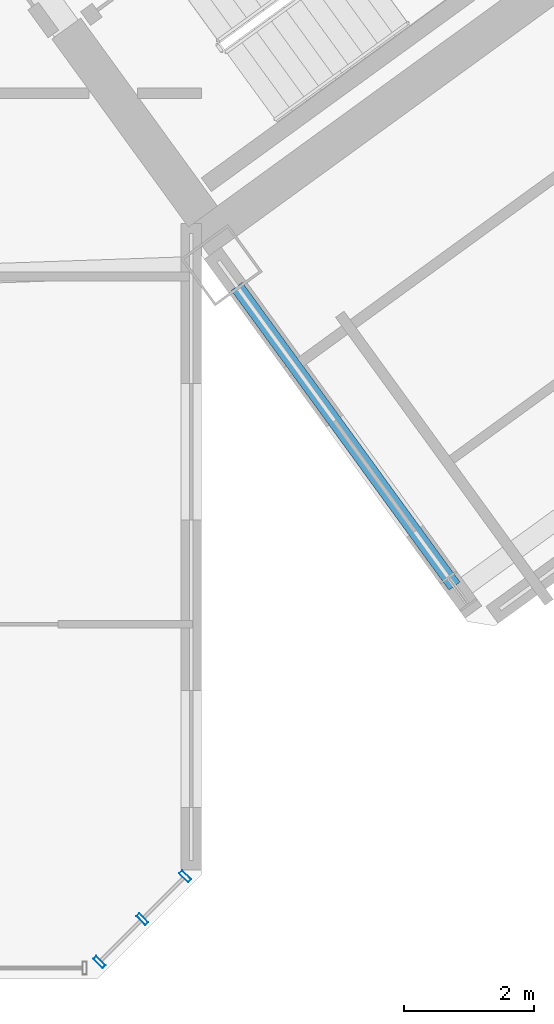
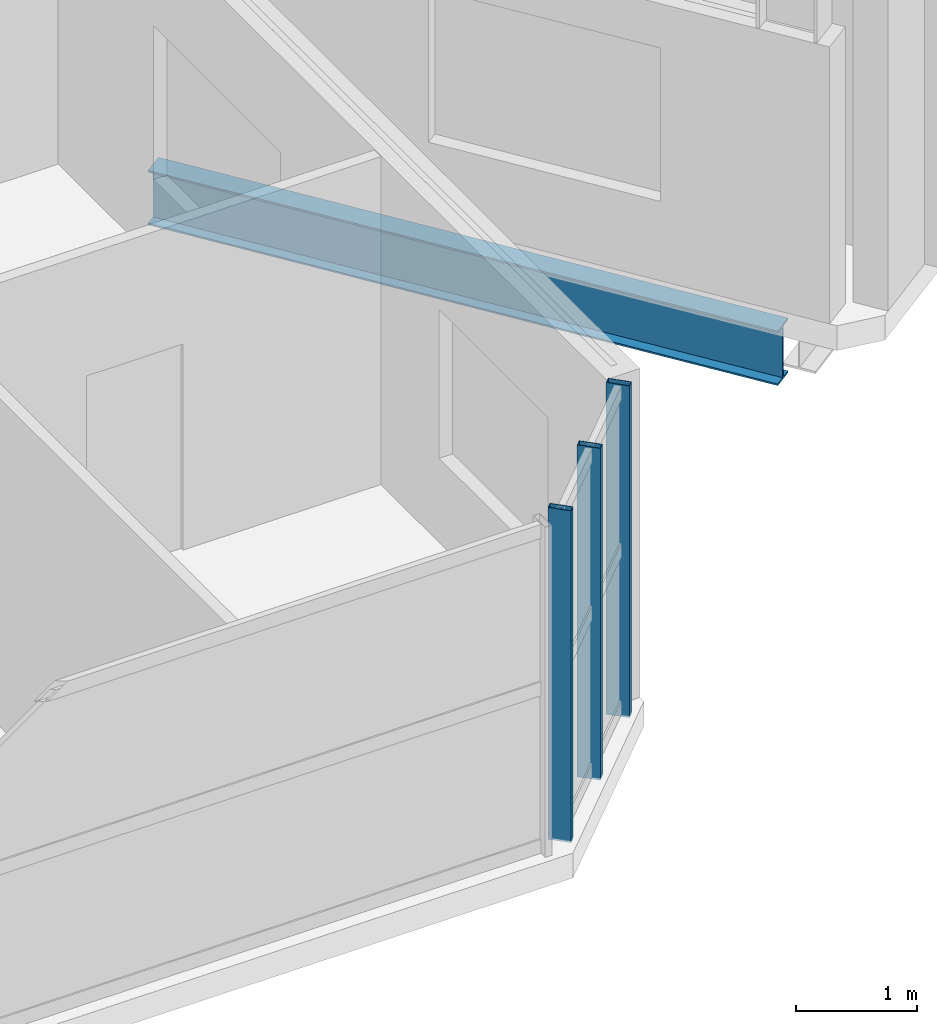
# One storey, part 10 of 29: 3 members, 1 beam, 1 element without a shape of its own.
"""IFC4 building model written with IfcOpenShell, lengths in metres."""

from ifc_helpers import new_model, si_unit, direction, frame, origin, origin_2d, place, context, subcontext, project, spatial, hollow_rectangle, i_section, extrude, source, transform, mapped, material, material_profile, profile_set, type_object, element, aggregate, save


model = new_model("IFC4")

# Units and contexts
model_context = context("Model", 3, precision=1e-05, world=origin(), true_north=direction((0.0, 1.0)))
body_context = subcontext(model_context, "Body", "Model", "MODEL_VIEW")
ifc_project = project(units=[si_unit("LENGTHUNIT", "METRE"), si_unit("AREAUNIT", "SQUARE_METRE"), si_unit("VOLUMEUNIT", "CUBIC_METRE"), si_unit("PLANEANGLEUNIT", "RADIAN"), si_unit("MASSUNIT", "GRAM", prefix="KILO")], contexts=[model_context])

# Site, building, storey
site_placement = place(None, origin())
site = spatial("IfcSite", under=ifc_project, at=site_placement, CompositionType="ELEMENT")
building_placement = place(site_placement, origin())
building = spatial("IfcBuilding", under=site, at=building_placement, Name="Tlacorven Tower", CompositionType="ELEMENT")
storey_placement = place(building_placement, frame((0.0, 0.0, 165.89990234375)))
storey = spatial("IfcBuildingStorey", under=building, at=storey_placement, Name="L42", CompositionType="ELEMENT", Elevation=165.89990234375)

# Beam
ifc_material_1 = material(Name="Steel S355J2", Category="steel")
ifc_material_profile_1 = material_profile(ifc_material_1, i_section(OverallWidth=0.2099609375, OverallDepth=0.550048828125, WebThickness=0.010986328125, FlangeThickness=0.01708984375, at=origin_2d()), Name="IPE 550")
ifc_profile_set_1 = profile_set([ifc_material_profile_1], Name="Steel S355J2")
beam_type = type_object("IfcBeamType", Name="BM-TWR-550", PredefinedType="BEAM", material=ifc_profile_set_1)
shared_shape_1 = source(origin(), body_context, "Body", "SweptSolid", [
    extrude(i_section(OverallWidth=0.2099609375, OverallDepth=0.550048828125, WebThickness=0.010986328125, FlangeThickness=0.01708984375, at=origin_2d()), origin(), (0.0, 0.0, 1.0), 5.699951171875),
])
beam_placement = place(storey_placement, frame((56.291015625, 7.83837890625, -0.52490234375), z_axis=(-0.587815099892, 0.808995307983, 0.0), x_axis=(-0.808995307983, -0.587815099892, 0.0)))
element("IfcBeam", 1, at=beam_placement, inside=storey, type_object=beam_type, Name="L42 beam BM-L42-ET1-1", PredefinedType="BEAM", context=body_context, shape_type="MappedRepresentation", body=[
    mapped(shared_shape_1, transform((0.0, 0.0, 0.0), scale=1.0)),
])

# Curtain wall, members
ifc_material_2 = material(Name="Dark solar low-E double glazing in aluminium frame", Category="aluminium")
curtain_wall_type = type_object("IfcCurtainWallType", Name="CW-TWR-MID", PredefinedType="USERDEFINED", material=ifc_material_2)
curtain_wall_placement = place(storey_placement, origin())
curtain_wall = element("IfcCurtainWall", 2, at=curtain_wall_placement, inside=storey, type_object=curtain_wall_type, Name="L42 CW-TWR-MID Curtain Wall 190", ObjectType="UNITISED CURTAIN WALL", PredefinedType="USERDEFINED")
ifc_material_3 = material(Name="Aluminium 6063-T6 anodised", Category="aluminium")
ifc_material_profile_2 = material_profile(ifc_material_3, hollow_rectangle(XDim=0.06494140625, YDim=0.199951171875, WallThickness=0.00439453125, at=origin_2d()), Name="ALU MULLION 65X200")
ifc_profile_set_2 = profile_set([ifc_material_profile_2], Name="Aluminium 6063-T6 anodised")
member_type = type_object("IfcMemberType", Name="CWM-02", PredefinedType="MULLION", material=ifc_profile_set_2)
shared_shape_2 = source(origin(), body_context, "Body", "SweptSolid", [
    extrude(hollow_rectangle(XDim=0.06494140625, YDim=0.199951171875, WallThickness=0.00439453125, at=origin_2d()), origin(), (0.0, 0.0, 1.0), 3.35009765625),
])
member_1_placement = place(storey_placement, frame((52.146240234375, 3.37255859375, -0.02001953125), z_axis=(0.0, 0.0, 1.0), x_axis=(-0.707106781187, -0.707106781187, 0.0)))
member_1 = element("IfcMember", 3, at=member_1_placement, type_object=member_type, Name="CW-L42-190 Mullion 1", PredefinedType="MULLION", context=body_context, shape_type="MappedRepresentation", body=[
    mapped(shared_shape_2, transform((0.0, 0.0, 0.0), scale=1.0)),
])
member_2_placement = place(storey_placement, frame((51.48681640625, 2.713134765625, -0.02001953125), z_axis=(0.0, 0.0, 1.0), x_axis=(-0.707106781187, -0.707106781187, 0.0)))
member_2 = element("IfcMember", 4, at=member_2_placement, type_object=member_type, Name="CW-L42-190 Mullion 2", PredefinedType="MULLION", context=body_context, shape_type="MappedRepresentation", body=[
    mapped(shared_shape_2, transform((0.0, 0.0, 0.0), scale=1.0)),
])
member_3_placement = place(storey_placement, frame((50.827392578125, 2.0537109375, -0.02001953125), z_axis=(0.0, 0.0, 1.0), x_axis=(-0.707106781187, -0.707106781187, 0.0)))
member_3 = element("IfcMember", 5, at=member_3_placement, type_object=member_type, Name="CW-L42-190 Mullion 3", PredefinedType="MULLION", context=body_context, shape_type="MappedRepresentation", body=[
    mapped(shared_shape_2, transform((0.0, 0.0, 0.0), scale=1.0)),
])
aggregate(curtain_wall, [member_1, member_2, member_3])

save(model, "model.ifc")
